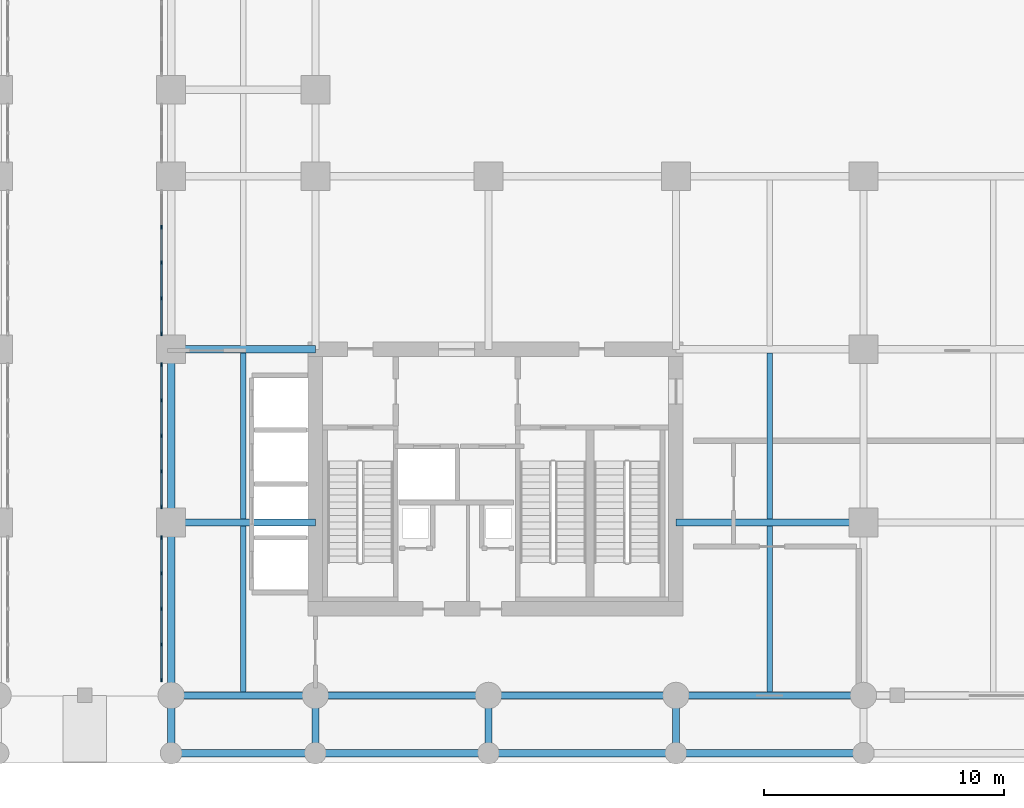
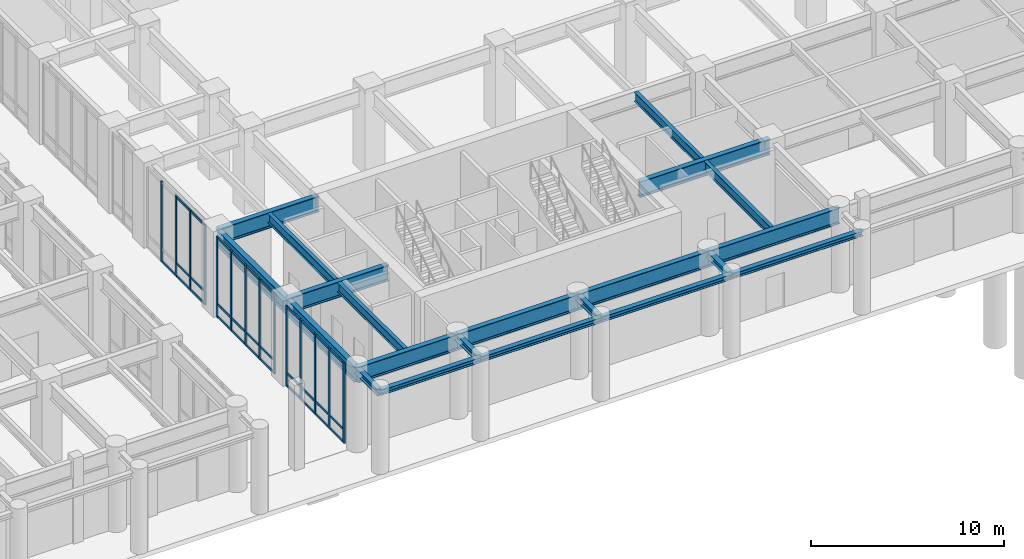
# One storey, part 4 of 23: 45 members, 21 beams, 3 elements without a shape of their own.
"""IFC4 building model written with IfcOpenShell, lengths in metres."""

from ifc_helpers import new_model, si_unit, derived_unit, direction, frame, origin, origin_2d, place, context, subcontext, project, spatial, rectangle, i_section, extrude, source, transform, mapped, material, layer, layer_set, material_profile, profile_set, type_object, type_shapes, element, aggregate, save


model = new_model("IFC4")

# Units and contexts
model_context = context("Model", 3, precision=1e-05, world=origin(), true_north=direction((0.0, 1.0)))
body_context = subcontext(model_context, "Body", "Model", "MODEL_VIEW")
ifc_project = project(units=[si_unit("LENGTHUNIT", "METRE"), si_unit("AREAUNIT", "SQUARE_METRE"), si_unit("VOLUMEUNIT", "CUBIC_METRE"), si_unit("PLANEANGLEUNIT", "RADIAN"), si_unit("MASSUNIT", "GRAM", prefix="KILO"), si_unit("THERMODYNAMICTEMPERATUREUNIT", "KELVIN"), si_unit("POWERUNIT", "WATT"), derived_unit("THERMALTRANSMITTANCEUNIT", [(si_unit("POWERUNIT", "WATT"), 1), (si_unit("AREAUNIT", "SQUARE_METRE"), -1), (si_unit("THERMODYNAMICTEMPERATUREUNIT", "KELVIN"), -1)])], contexts=[model_context])

# Site, building, storey
site_placement = place(None, origin())
site = spatial("IfcSite", under=ifc_project, at=site_placement, CompositionType="ELEMENT")
building_placement = place(site_placement, origin())
building = spatial("IfcBuilding", under=site, at=building_placement, Name="Zahravan Archway Hotel and Residences", CompositionType="ELEMENT")
storey_placement = place(building_placement, origin())
storey = spatial("IfcBuildingStorey", under=building, at=storey_placement, Name="L00", CompositionType="ELEMENT", Elevation=0.0)

# Beams
ifc_material_1 = material(Name="Structural Steel S355J2", Category="steel")
ifc_material_profile_1 = material_profile(ifc_material_1, i_section(OverallWidth=0.300048828125, OverallDepth=1.0, WebThickness=0.01904296875, FlangeThickness=0.035888671875, FilletRadius=0.030029296875, at=origin_2d()), Name="HEB 1000", Category="steel")
ifc_profile_set_1 = profile_set([ifc_material_profile_1], Name="Structural Steel S355J2")
beam_type_1 = type_object("IfcBeamType", Name="BM-PRI-HEB1000", PredefinedType="BEAM", material=ifc_profile_set_1)
shared_shape_1 = source(origin(), body_context, "Body", "SweptSolid", [
    extrude(i_section(OverallWidth=0.300048828125, OverallDepth=1.0, WebThickness=0.01904296875, FlangeThickness=0.035888671875, FilletRadius=0.030029296875, at=origin_2d()), origin(), (0.0, 0.0, 1.0), 7.199951171875),
])
for number, where, z_axis, x_axis, name in (
    (1, (34.800048828125, 0.0, 4.60009765625), (1.0, 0.0, 0.0), (0.0, 1.0, 0.0), "L00 Primary Girder EW-06"),
    (2, (28.800048828125, 0.0, 4.60009765625), (0.0, 1.0, 0.0), (-1.0, 0.0, 0.0), "L00 Primary Girder NS-95"),
    (3, (28.800048828125, 7.199951171875, 4.60009765625), (0.0, 1.0, 0.0), (-1.0, 0.0, 0.0), "L00 Primary Girder NS-96"),
):
    element("IfcBeam", number, at=place(storey_placement, frame(where, z_axis=z_axis, x_axis=x_axis)), inside=storey, type_object=beam_type_1, Name=name, PredefinedType="BEAM", context=body_context, shape_type="MappedRepresentation", body=[
        mapped(shared_shape_1, transform((0.0, 0.0, 0.0), scale=1.0)),
    ])
shared_shape_2 = source(origin(), body_context, "Body", "SweptSolid", [
    extrude(i_section(OverallWidth=0.300048828125, OverallDepth=1.0, WebThickness=0.01904296875, FlangeThickness=0.035888671875, FilletRadius=0.030029296875, at=origin_2d()), origin(), (0.0, 0.0, 1.0), 6.0),
])
for number, where, z_axis, x_axis, name in (
    (4, (28.800048828125, 0.0, 4.60009765625), (1.0, 0.0, 0.0), (0.0, 1.0, 0.0), "L00 Primary Girder EW-05"),
    (5, (28.800048828125, 7.199951171875, 4.60009765625), (1.0, 0.0, 0.0), (0.0, 1.0, 0.0), "L00 Primary Girder EW-15"),
    (6, (28.800048828125, 14.39990234375, 4.60009765625), (1.0, 0.0, 0.0), (0.0, 1.0, 0.0), "L00 Primary Girder EW-23"),
):
    element("IfcBeam", number, at=place(storey_placement, frame(where, z_axis=z_axis, x_axis=x_axis)), inside=storey, type_object=beam_type_1, Name=name, PredefinedType="BEAM", context=body_context, shape_type="MappedRepresentation", body=[
        mapped(shared_shape_2, transform((0.0, 0.0, 0.0), scale=1.0)),
    ])
shared_shape_3 = source(origin(), body_context, "Body", "SweptSolid", [
    extrude(i_section(OverallWidth=0.300048828125, OverallDepth=1.0, WebThickness=0.01904296875, FlangeThickness=0.035888671875, FilletRadius=0.030029296875, at=origin_2d()), origin(), (0.0, 0.0, 1.0), 7.800048828125),
])
for number, where, z_axis, x_axis, name in (
    (7, (42.0, 0.0, 4.60009765625), (1.0, 0.0, 0.0), (0.0, 1.0, 0.0), "L00 Primary Girder EW-07"),
    (8, (49.800048828125, 0.0, 4.60009765625), (1.0, 0.0, 0.0), (0.0, 1.0, 0.0), "L00 Primary Girder EW-08"),
    (9, (49.800048828125, 7.199951171875, 4.60009765625), (1.0, 0.0, 0.0), (0.0, 1.0, 0.0), "L00 Primary Girder EW-16"),
):
    element("IfcBeam", number, at=place(storey_placement, frame(where, z_axis=z_axis, x_axis=x_axis)), inside=storey, type_object=beam_type_1, Name=name, PredefinedType="BEAM", context=body_context, shape_type="MappedRepresentation", body=[
        mapped(shared_shape_3, transform((0.0, 0.0, 0.0), scale=1.0)),
    ])
ifc_material_2 = material(Name="Structural Steel S355JR", Category="steel")
ifc_material_profile_2 = material_profile(ifc_material_2, i_section(OverallWidth=0.219970703125, OverallDepth=0.60009765625, WebThickness=0.011962890625, FlangeThickness=0.01904296875, FilletRadius=0.02392578125, at=origin_2d()), Name="IPE 600", Category="steel")
ifc_profile_set_2 = profile_set([ifc_material_profile_2], Name="Structural Steel S355JR")
beam_type_2 = type_object("IfcBeamType", Name="BM-JST-IPE600", PredefinedType="JOIST", material=ifc_profile_set_2)
shared_shape_4 = source(origin(), body_context, "Body", "SweptSolid", [
    extrude(i_section(OverallWidth=0.219970703125, OverallDepth=0.60009765625, WebThickness=0.011962890625, FlangeThickness=0.01904296875, FilletRadius=0.02392578125, at=origin_2d()), origin(), (0.0, 0.0, 1.0), 6.904052734375),
])
type_shapes(beam_type_2, [shared_shape_4])
for number, where, z_axis, x_axis, name in (
    (10, (31.800048828125, 0.14794921875, 4.800048828125), (0.0, 1.0, 0.0), (-1.0, 0.0, 0.0), "L00 Composite Floor Joist 05"),
    (11, (53.699951171875, 0.14794921875, 4.800048828125), (0.0, 1.0, 0.0), (-1.0, 0.0, 0.0), "L00 Composite Floor Joist 06"),
    (12, (31.800048828125, 7.347900390625, 4.800048828125), (0.0, 1.0, 0.0), (-1.0, 0.0, 0.0), "L00 Composite Floor Joist 13"),
    (13, (53.699951171875, 7.347900390625, 4.800048828125), (0.0, 1.0, 0.0), (-1.0, 0.0, 0.0), "L00 Composite Floor Joist 14"),
):
    element("IfcBeam", number, at=place(storey_placement, frame(where, z_axis=z_axis, x_axis=x_axis)), inside=storey, type_object=beam_type_2, Name=name, PredefinedType="JOIST", context=body_context, shape_type="MappedRepresentation", body=[
        mapped(shared_shape_4, transform((0.0, 0.0, 0.0), scale=1.0)),
    ])
ifc_material_profile_3 = material_profile(ifc_material_2, i_section(OverallWidth=0.300048828125, OverallDepth=0.39990234375, WebThickness=0.013427734375, FlangeThickness=0.02392578125, FilletRadius=0.027099609375, at=origin_2d()), Name="HEB 400", Category="steel")
ifc_profile_set_3 = profile_set([ifc_material_profile_3], Name="Structural Steel S355JR")
beam_type_3 = type_object("IfcBeamType", Name="BM-PRI-HEB400", PredefinedType="BEAM", material=ifc_profile_set_3)
shared_shape_5 = source(origin(), body_context, "Body", "SweptSolid", [
    extrude(i_section(OverallWidth=0.300048828125, OverallDepth=0.39990234375, WebThickness=0.013427734375, FlangeThickness=0.02392578125, FilletRadius=0.027099609375, at=origin_2d()), origin(), (0.0, 0.0, 1.0), 2.39990234375),
])
for number, where, z_axis, x_axis, name in (
    (14, (28.800048828125, -2.39990234375, 4.89990234375), (0.0, 1.0, 0.0), (-1.0, 0.0, 0.0), "L00 South Colonnade Tie Girder 5"),
    (15, (34.800048828125, -2.39990234375, 4.89990234375), (0.0, 1.0, 0.0), (-1.0, 0.0, 0.0), "L00 South Colonnade Tie Girder 6"),
    (16, (42.0, -2.39990234375, 4.89990234375), (0.0, 1.0, 0.0), (-1.0, 0.0, 0.0), "L00 South Colonnade Tie Girder 7"),
    (17, (49.800048828125, -2.39990234375, 4.89990234375), (0.0, 1.0, 0.0), (-1.0, 0.0, 0.0), "L00 South Colonnade Tie Girder 8"),
):
    element("IfcBeam", number, at=place(storey_placement, frame(where, z_axis=z_axis, x_axis=x_axis)), inside=storey, type_object=beam_type_3, Name=name, PredefinedType="BEAM", context=body_context, shape_type="MappedRepresentation", body=[
        mapped(shared_shape_5, transform((0.0, 0.0, 0.0), scale=1.0)),
    ])
ifc_material_profile_4 = material_profile(ifc_material_2, i_section(OverallWidth=0.300048828125, OverallDepth=0.320068359375, WebThickness=0.011474609375, FlangeThickness=0.0205078125, FilletRadius=0.027099609375, at=origin_2d()), Name="HEB 320", Category="steel")
ifc_profile_set_4 = profile_set([ifc_material_profile_4], Name="Structural Steel S355JR")
beam_type_4 = type_object("IfcBeamType", Name="BM-SPN-HEB320", PredefinedType="SPANDREL", material=ifc_profile_set_4)
shared_shape_6 = source(origin(), body_context, "Body", "SweptSolid", [
    extrude(i_section(OverallWidth=0.300048828125, OverallDepth=0.320068359375, WebThickness=0.011474609375, FlangeThickness=0.0205078125, FilletRadius=0.027099609375, at=origin_2d()), origin(), (0.0, 0.0, 1.0), 7.199951171875),
])
type_shapes(beam_type_4, [shared_shape_6])
beam_1_placement = place(storey_placement, frame((34.800048828125, -2.39990234375, 4.93994140625), z_axis=(1.0, 0.0, 0.0), x_axis=(0.0, 1.0, 0.0)))
element("IfcBeam", 18, at=beam_1_placement, inside=storey, type_object=beam_type_4, Name="L00 South Colonnade Spandrel 6", PredefinedType="SPANDREL", context=body_context, shape_type="MappedRepresentation", body=[
    mapped(shared_shape_6, transform((0.0, 0.0, 0.0), scale=1.0)),
])
shared_shape_7 = source(origin(), body_context, "Body", "SweptSolid", [
    extrude(i_section(OverallWidth=0.300048828125, OverallDepth=0.320068359375, WebThickness=0.011474609375, FlangeThickness=0.0205078125, FilletRadius=0.027099609375, at=origin_2d()), origin(), (0.0, 0.0, 1.0), 6.0),
])
beam_2_placement = place(storey_placement, frame((28.800048828125, -2.39990234375, 4.93994140625), z_axis=(1.0, 0.0, 0.0), x_axis=(0.0, 1.0, 0.0)))
element("IfcBeam", 19, at=beam_2_placement, inside=storey, type_object=beam_type_4, Name="L00 South Colonnade Spandrel 5", PredefinedType="SPANDREL", context=body_context, shape_type="MappedRepresentation", body=[
    mapped(shared_shape_7, transform((0.0, 0.0, 0.0), scale=1.0)),
])
shared_shape_8 = source(origin(), body_context, "Body", "SweptSolid", [
    extrude(i_section(OverallWidth=0.300048828125, OverallDepth=0.320068359375, WebThickness=0.011474609375, FlangeThickness=0.0205078125, FilletRadius=0.027099609375, at=origin_2d()), origin(), (0.0, 0.0, 1.0), 7.800048828125),
])
for number, where, z_axis, x_axis, name in (
    (20, (42.0, -2.39990234375, 4.93994140625), (1.0, 0.0, 0.0), (0.0, 1.0, 0.0), "L00 South Colonnade Spandrel 7"),
    (21, (49.800048828125, -2.39990234375, 4.93994140625), (1.0, 0.0, 0.0), (0.0, 1.0, 0.0), "L00 South Colonnade Spandrel 8"),
):
    element("IfcBeam", number, at=place(storey_placement, frame(where, z_axis=z_axis, x_axis=x_axis)), inside=storey, type_object=beam_type_4, Name=name, PredefinedType="SPANDREL", context=body_context, shape_type="MappedRepresentation", body=[
        mapped(shared_shape_8, transform((0.0, 0.0, 0.0), scale=1.0)),
    ])

# Curtain wall, members
ifc_material_3 = material(Name="Bronze-Anodized Unitised Aluminium & Low-E Glass", Category="aluminium")
ifc_layer = layer(ifc_material_3, 0.179931640625, Name="Bronze-Anodized Unitised Aluminium & Low-E Glass", Category="aluminium")
ifc_layer_set = layer_set([ifc_layer], Name="Bronze-Anodized Unitised Aluminium & Low-E Glass")
curtain_wall_type = type_object("IfcCurtainWallType", Name="CW-POD-ARCH", PredefinedType="NOTDEFINED", material=ifc_layer_set)
curtain_wall_1_placement = place(storey_placement, origin())
curtain_wall_1 = element("IfcCurtainWall", 22, at=curtain_wall_1_placement, inside=storey, type_object=curtain_wall_type, Name="L00 Curtain Wall CW-PORTE-L00-1", PredefinedType="NOTDEFINED")
ifc_material_4 = material(Name="Bronze-Anodized Extruded Aluminium", Category="aluminium")
ifc_material_profile_5 = material_profile(ifc_material_4, rectangle(XDim=0.080078125, YDim=0.159912109375, at=origin_2d()), Name="MUL 80x160", Category="aluminium")
ifc_profile_set_5 = profile_set([ifc_material_profile_5], Name="Bronze-Anodized Extruded Aluminium")
member_type_1 = type_object("IfcMemberType", Name="CWM-MUL-160", PredefinedType="MULLION", material=ifc_profile_set_5)
shared_shape_9 = source(origin(), body_context, "Body", "SweptSolid", [
    extrude(rectangle(XDim=0.080078125, YDim=0.159912109375, at=origin_2d()), origin(), (0.0, 0.0, 1.0), 5.10009765625),
])
member_1_placement = place(storey_placement, frame((28.39990234375, 0.645263671875, 0.0), z_axis=(0.0, 0.0, 1.0), x_axis=(1.0, 0.0, 0.0)))
member_1 = element("IfcMember", 23, at=member_1_placement, type_object=member_type_1, Name="CW-PORTE-L00-1 Mullion 0", PredefinedType="MULLION", context=body_context, shape_type="MappedRepresentation", body=[
    mapped(shared_shape_9, transform((0.0, 0.0, 0.0), scale=1.0)),
])
member_2_placement = place(storey_placement, frame((28.39990234375, 2.12255859375, 0.0), z_axis=(0.0, 0.0, 1.0), x_axis=(1.0, 0.0, 0.0)))
member_2 = element("IfcMember", 24, at=member_2_placement, type_object=member_type_1, Name="CW-PORTE-L00-1 Mullion 1", PredefinedType="MULLION", context=body_context, shape_type="MappedRepresentation", body=[
    mapped(shared_shape_9, transform((0.0, 0.0, 0.0), scale=1.0)),
])
member_3_placement = place(storey_placement, frame((28.39990234375, 3.60009765625, 0.0), z_axis=(0.0, 0.0, 1.0), x_axis=(1.0, 0.0, 0.0)))
member_3 = element("IfcMember", 25, at=member_3_placement, type_object=member_type_1, Name="CW-PORTE-L00-1 Mullion 2", PredefinedType="MULLION", context=body_context, shape_type="MappedRepresentation", body=[
    mapped(shared_shape_9, transform((0.0, 0.0, 0.0), scale=1.0)),
])
member_4_placement = place(storey_placement, frame((28.39990234375, 5.077392578125, 0.0), z_axis=(0.0, 0.0, 1.0), x_axis=(1.0, 0.0, 0.0)))
member_4 = element("IfcMember", 26, at=member_4_placement, type_object=member_type_1, Name="CW-PORTE-L00-1 Mullion 3", PredefinedType="MULLION", context=body_context, shape_type="MappedRepresentation", body=[
    mapped(shared_shape_9, transform((0.0, 0.0, 0.0), scale=1.0)),
])
member_5_placement = place(storey_placement, frame((28.39990234375, 6.5546875, 0.0), z_axis=(0.0, 0.0, 1.0), x_axis=(1.0, 0.0, 0.0)))
member_5 = element("IfcMember", 27, at=member_5_placement, type_object=member_type_1, Name="CW-PORTE-L00-1 Mullion 4", PredefinedType="MULLION", context=body_context, shape_type="MappedRepresentation", body=[
    mapped(shared_shape_9, transform((0.0, 0.0, 0.0), scale=1.0)),
])

curtain_wall_2_placement = place(storey_placement, origin())
curtain_wall_2 = element("IfcCurtainWall", 28, at=curtain_wall_2_placement, inside=storey, type_object=curtain_wall_type, Name="L00 Curtain Wall CW-PORTE-L00-2", PredefinedType="NOTDEFINED")
member_6_placement = place(storey_placement, frame((28.39990234375, 7.84521484375, 0.0), z_axis=(0.0, 0.0, 1.0), x_axis=(1.0, 0.0, 0.0)))
member_6 = element("IfcMember", 29, at=member_6_placement, type_object=member_type_1, Name="CW-PORTE-L00-2 Mullion 0", PredefinedType="MULLION", context=body_context, shape_type="MappedRepresentation", body=[
    mapped(shared_shape_9, transform((0.0, 0.0, 0.0), scale=1.0)),
])
member_7_placement = place(storey_placement, frame((28.39990234375, 9.322509765625, 0.0), z_axis=(0.0, 0.0, 1.0), x_axis=(1.0, 0.0, 0.0)))
member_7 = element("IfcMember", 30, at=member_7_placement, type_object=member_type_1, Name="CW-PORTE-L00-2 Mullion 1", PredefinedType="MULLION", context=body_context, shape_type="MappedRepresentation", body=[
    mapped(shared_shape_9, transform((0.0, 0.0, 0.0), scale=1.0)),
])
member_8_placement = place(storey_placement, frame((28.39990234375, 10.800048828125, 0.0), z_axis=(0.0, 0.0, 1.0), x_axis=(1.0, 0.0, 0.0)))
member_8 = element("IfcMember", 31, at=member_8_placement, type_object=member_type_1, Name="CW-PORTE-L00-2 Mullion 2", PredefinedType="MULLION", context=body_context, shape_type="MappedRepresentation", body=[
    mapped(shared_shape_9, transform((0.0, 0.0, 0.0), scale=1.0)),
])
member_9_placement = place(storey_placement, frame((28.39990234375, 12.27734375, 0.0), z_axis=(0.0, 0.0, 1.0), x_axis=(1.0, 0.0, 0.0)))
member_9 = element("IfcMember", 32, at=member_9_placement, type_object=member_type_1, Name="CW-PORTE-L00-2 Mullion 3", PredefinedType="MULLION", context=body_context, shape_type="MappedRepresentation", body=[
    mapped(shared_shape_9, transform((0.0, 0.0, 0.0), scale=1.0)),
])
member_10_placement = place(storey_placement, frame((28.39990234375, 13.7548828125, 0.0), z_axis=(0.0, 0.0, 1.0), x_axis=(1.0, 0.0, 0.0)))
member_10 = element("IfcMember", 33, at=member_10_placement, type_object=member_type_1, Name="CW-PORTE-L00-2 Mullion 4", PredefinedType="MULLION", context=body_context, shape_type="MappedRepresentation", body=[
    mapped(shared_shape_9, transform((0.0, 0.0, 0.0), scale=1.0)),
])

curtain_wall_3_placement = place(storey_placement, origin())
curtain_wall_3 = element("IfcCurtainWall", 34, at=curtain_wall_3_placement, inside=storey, type_object=curtain_wall_type, Name="L00 Curtain Wall CW-PORTE-L00-3", PredefinedType="NOTDEFINED")
member_11_placement = place(storey_placement, frame((28.39990234375, 15.045166015625, 0.0), z_axis=(0.0, 0.0, 1.0), x_axis=(1.0, 0.0, 0.0)))
member_11 = element("IfcMember", 35, at=member_11_placement, type_object=member_type_1, Name="CW-PORTE-L00-3 Mullion 0", PredefinedType="MULLION", context=body_context, shape_type="MappedRepresentation", body=[
    mapped(shared_shape_9, transform((0.0, 0.0, 0.0), scale=1.0)),
])
member_12_placement = place(storey_placement, frame((28.39990234375, 16.522705078125, 0.0), z_axis=(0.0, 0.0, 1.0), x_axis=(1.0, 0.0, 0.0)))
member_12 = element("IfcMember", 36, at=member_12_placement, type_object=member_type_1, Name="CW-PORTE-L00-3 Mullion 1", PredefinedType="MULLION", context=body_context, shape_type="MappedRepresentation", body=[
    mapped(shared_shape_9, transform((0.0, 0.0, 0.0), scale=1.0)),
])
member_13_placement = place(storey_placement, frame((28.39990234375, 18.0, 0.0), z_axis=(0.0, 0.0, 1.0), x_axis=(1.0, 0.0, 0.0)))
member_13 = element("IfcMember", 37, at=member_13_placement, type_object=member_type_1, Name="CW-PORTE-L00-3 Mullion 2", PredefinedType="MULLION", context=body_context, shape_type="MappedRepresentation", body=[
    mapped(shared_shape_9, transform((0.0, 0.0, 0.0), scale=1.0)),
])
member_14_placement = place(storey_placement, frame((28.39990234375, 19.477294921875, 0.0), z_axis=(0.0, 0.0, 1.0), x_axis=(1.0, 0.0, 0.0)))
member_14 = element("IfcMember", 38, at=member_14_placement, type_object=member_type_1, Name="CW-PORTE-L00-3 Mullion 3", PredefinedType="MULLION", context=body_context, shape_type="MappedRepresentation", body=[
    mapped(shared_shape_9, transform((0.0, 0.0, 0.0), scale=1.0)),
])

# Member
ifc_material_profile_6 = material_profile(ifc_material_4, rectangle(XDim=0.080078125, YDim=0.139892578125, at=origin_2d()), Name="TRN 80x140", Category="aluminium")
ifc_profile_set_6 = profile_set([ifc_material_profile_6], Name="Bronze-Anodized Extruded Aluminium")
member_type_2 = type_object("IfcMemberType", Name="CWM-TRN-140", PredefinedType="USERDEFINED", material=ifc_profile_set_6)
shared_shape_10 = source(origin(), body_context, "Body", "SweptSolid", [
    extrude(rectangle(XDim=0.080078125, YDim=0.139892578125, at=origin_2d()), origin(), (0.0, 0.0, 1.0), 1.397216796875),
])
member_15_placement = place(storey_placement, frame((28.39990234375, 0.685302734375, 0.070068359375), z_axis=(0.0, 1.0, 0.0), x_axis=(-1.0, 0.0, 0.0)))
member_15 = element("IfcMember", 39, at=member_15_placement, type_object=member_type_2, Name="CW-PORTE-L00-1 Transom 0-1", ObjectType="TRANSOM", PredefinedType="USERDEFINED", context=body_context, shape_type="MappedRepresentation", body=[
    mapped(shared_shape_10, transform((0.0, 0.0, 0.0), scale=1.0)),
])

member_16_placement = place(storey_placement, frame((28.39990234375, 0.685302734375, 0.85009765625), z_axis=(0.0, 1.0, 0.0), x_axis=(-1.0, 0.0, 0.0)))
member_16 = element("IfcMember", 40, at=member_16_placement, type_object=member_type_2, Name="CW-PORTE-L00-1 Transom 0-2", ObjectType="TRANSOM", PredefinedType="USERDEFINED", context=body_context, shape_type="MappedRepresentation", body=[
    mapped(shared_shape_10, transform((0.0, 0.0, 0.0), scale=1.0)),
])

member_17_placement = place(storey_placement, frame((28.39990234375, 0.685302734375, 5.030029296875), z_axis=(0.0, 1.0, 0.0), x_axis=(-1.0, 0.0, 0.0)))
member_17 = element("IfcMember", 41, at=member_17_placement, type_object=member_type_2, Name="CW-PORTE-L00-1 Transom 0-3", ObjectType="TRANSOM", PredefinedType="USERDEFINED", context=body_context, shape_type="MappedRepresentation", body=[
    mapped(shared_shape_10, transform((0.0, 0.0, 0.0), scale=1.0)),
])

member_18_placement = place(storey_placement, frame((28.39990234375, 10.840087890625, 0.070068359375), z_axis=(0.0, 1.0, 0.0), x_axis=(-1.0, 0.0, 0.0)))
member_18 = element("IfcMember", 42, at=member_18_placement, type_object=member_type_2, Name="CW-PORTE-L00-2 Transom 2-1", ObjectType="TRANSOM", PredefinedType="USERDEFINED", context=body_context, shape_type="MappedRepresentation", body=[
    mapped(shared_shape_10, transform((0.0, 0.0, 0.0), scale=1.0)),
])

member_19_placement = place(storey_placement, frame((28.39990234375, 10.840087890625, 0.85009765625), z_axis=(0.0, 1.0, 0.0), x_axis=(-1.0, 0.0, 0.0)))
member_19 = element("IfcMember", 43, at=member_19_placement, type_object=member_type_2, Name="CW-PORTE-L00-2 Transom 2-2", ObjectType="TRANSOM", PredefinedType="USERDEFINED", context=body_context, shape_type="MappedRepresentation", body=[
    mapped(shared_shape_10, transform((0.0, 0.0, 0.0), scale=1.0)),
])

member_20_placement = place(storey_placement, frame((28.39990234375, 10.840087890625, 5.030029296875), z_axis=(0.0, 1.0, 0.0), x_axis=(-1.0, 0.0, 0.0)))
member_20 = element("IfcMember", 44, at=member_20_placement, type_object=member_type_2, Name="CW-PORTE-L00-2 Transom 2-3", ObjectType="TRANSOM", PredefinedType="USERDEFINED", context=body_context, shape_type="MappedRepresentation", body=[
    mapped(shared_shape_10, transform((0.0, 0.0, 0.0), scale=1.0)),
])

shared_shape_11 = source(origin(), body_context, "Body", "SweptSolid", [
    extrude(rectangle(XDim=0.080078125, YDim=0.139892578125, at=origin_2d()), origin(), (0.0, 0.0, 1.0), 1.3974609375),
])
member_21_placement = place(storey_placement, frame((28.39990234375, 2.16259765625, 0.070068359375), z_axis=(0.0, 1.0, 0.0), x_axis=(-1.0, 0.0, 0.0)))
member_21 = element("IfcMember", 45, at=member_21_placement, type_object=member_type_2, Name="CW-PORTE-L00-1 Transom 1-1", ObjectType="TRANSOM", PredefinedType="USERDEFINED", context=body_context, shape_type="MappedRepresentation", body=[
    mapped(shared_shape_11, transform((0.0, 0.0, 0.0), scale=1.0)),
])

member_22_placement = place(storey_placement, frame((28.39990234375, 2.16259765625, 0.85009765625), z_axis=(0.0, 1.0, 0.0), x_axis=(-1.0, 0.0, 0.0)))
member_22 = element("IfcMember", 46, at=member_22_placement, type_object=member_type_2, Name="CW-PORTE-L00-1 Transom 1-2", ObjectType="TRANSOM", PredefinedType="USERDEFINED", context=body_context, shape_type="MappedRepresentation", body=[
    mapped(shared_shape_11, transform((0.0, 0.0, 0.0), scale=1.0)),
])

member_23_placement = place(storey_placement, frame((28.39990234375, 2.16259765625, 5.030029296875), z_axis=(0.0, 1.0, 0.0), x_axis=(-1.0, 0.0, 0.0)))
member_23 = element("IfcMember", 47, at=member_23_placement, type_object=member_type_2, Name="CW-PORTE-L00-1 Transom 1-3", ObjectType="TRANSOM", PredefinedType="USERDEFINED", context=body_context, shape_type="MappedRepresentation", body=[
    mapped(shared_shape_11, transform((0.0, 0.0, 0.0), scale=1.0)),
])

member_24_placement = place(storey_placement, frame((28.39990234375, 3.639892578125, 0.070068359375), z_axis=(0.0, 1.0, 0.0), x_axis=(-1.0, 0.0, 0.0)))
member_24 = element("IfcMember", 48, at=member_24_placement, type_object=member_type_2, Name="CW-PORTE-L00-1 Transom 2-1", ObjectType="TRANSOM", PredefinedType="USERDEFINED", context=body_context, shape_type="MappedRepresentation", body=[
    mapped(shared_shape_11, transform((0.0, 0.0, 0.0), scale=1.0)),
])

member_25_placement = place(storey_placement, frame((28.39990234375, 3.639892578125, 0.85009765625), z_axis=(0.0, 1.0, 0.0), x_axis=(-1.0, 0.0, 0.0)))
member_25 = element("IfcMember", 49, at=member_25_placement, type_object=member_type_2, Name="CW-PORTE-L00-1 Transom 2-2", ObjectType="TRANSOM", PredefinedType="USERDEFINED", context=body_context, shape_type="MappedRepresentation", body=[
    mapped(shared_shape_11, transform((0.0, 0.0, 0.0), scale=1.0)),
])

member_26_placement = place(storey_placement, frame((28.39990234375, 3.639892578125, 5.030029296875), z_axis=(0.0, 1.0, 0.0), x_axis=(-1.0, 0.0, 0.0)))
member_26 = element("IfcMember", 50, at=member_26_placement, type_object=member_type_2, Name="CW-PORTE-L00-1 Transom 2-3", ObjectType="TRANSOM", PredefinedType="USERDEFINED", context=body_context, shape_type="MappedRepresentation", body=[
    mapped(shared_shape_11, transform((0.0, 0.0, 0.0), scale=1.0)),
])

member_27_placement = place(storey_placement, frame((28.39990234375, 5.117431640625, 0.070068359375), z_axis=(0.0, 1.0, 0.0), x_axis=(-1.0, 0.0, 0.0)))
member_27 = element("IfcMember", 51, at=member_27_placement, type_object=member_type_2, Name="CW-PORTE-L00-1 Transom 3-1", ObjectType="TRANSOM", PredefinedType="USERDEFINED", context=body_context, shape_type="MappedRepresentation", body=[
    mapped(shared_shape_11, transform((0.0, 0.0, 0.0), scale=1.0)),
])

member_28_placement = place(storey_placement, frame((28.39990234375, 5.117431640625, 0.85009765625), z_axis=(0.0, 1.0, 0.0), x_axis=(-1.0, 0.0, 0.0)))
member_28 = element("IfcMember", 52, at=member_28_placement, type_object=member_type_2, Name="CW-PORTE-L00-1 Transom 3-2", ObjectType="TRANSOM", PredefinedType="USERDEFINED", context=body_context, shape_type="MappedRepresentation", body=[
    mapped(shared_shape_11, transform((0.0, 0.0, 0.0), scale=1.0)),
])

member_29_placement = place(storey_placement, frame((28.39990234375, 5.117431640625, 5.030029296875), z_axis=(0.0, 1.0, 0.0), x_axis=(-1.0, 0.0, 0.0)))
member_29 = element("IfcMember", 53, at=member_29_placement, type_object=member_type_2, Name="CW-PORTE-L00-1 Transom 3-3", ObjectType="TRANSOM", PredefinedType="USERDEFINED", context=body_context, shape_type="MappedRepresentation", body=[
    mapped(shared_shape_11, transform((0.0, 0.0, 0.0), scale=1.0)),
])

aggregate(curtain_wall_1, [member_1, member_2, member_3, member_4, member_5, member_15, member_16, member_17, member_21, member_22, member_23, member_24, member_25, member_26, member_27, member_28, member_29])

member_30_placement = place(storey_placement, frame((28.39990234375, 7.88525390625, 0.070068359375), z_axis=(0.0, 1.0, 0.0), x_axis=(-1.0, 0.0, 0.0)))
member_30 = element("IfcMember", 54, at=member_30_placement, type_object=member_type_2, Name="CW-PORTE-L00-2 Transom 0-1", ObjectType="TRANSOM", PredefinedType="USERDEFINED", context=body_context, shape_type="MappedRepresentation", body=[
    mapped(shared_shape_11, transform((0.0, 0.0, 0.0), scale=1.0)),
])

member_31_placement = place(storey_placement, frame((28.39990234375, 7.88525390625, 0.85009765625), z_axis=(0.0, 1.0, 0.0), x_axis=(-1.0, 0.0, 0.0)))
member_31 = element("IfcMember", 55, at=member_31_placement, type_object=member_type_2, Name="CW-PORTE-L00-2 Transom 0-2", ObjectType="TRANSOM", PredefinedType="USERDEFINED", context=body_context, shape_type="MappedRepresentation", body=[
    mapped(shared_shape_11, transform((0.0, 0.0, 0.0), scale=1.0)),
])

member_32_placement = place(storey_placement, frame((28.39990234375, 7.88525390625, 5.030029296875), z_axis=(0.0, 1.0, 0.0), x_axis=(-1.0, 0.0, 0.0)))
member_32 = element("IfcMember", 56, at=member_32_placement, type_object=member_type_2, Name="CW-PORTE-L00-2 Transom 0-3", ObjectType="TRANSOM", PredefinedType="USERDEFINED", context=body_context, shape_type="MappedRepresentation", body=[
    mapped(shared_shape_11, transform((0.0, 0.0, 0.0), scale=1.0)),
])

member_33_placement = place(storey_placement, frame((28.39990234375, 9.362548828125, 0.070068359375), z_axis=(0.0, 1.0, 0.0), x_axis=(-1.0, 0.0, 0.0)))
member_33 = element("IfcMember", 57, at=member_33_placement, type_object=member_type_2, Name="CW-PORTE-L00-2 Transom 1-1", ObjectType="TRANSOM", PredefinedType="USERDEFINED", context=body_context, shape_type="MappedRepresentation", body=[
    mapped(shared_shape_11, transform((0.0, 0.0, 0.0), scale=1.0)),
])

member_34_placement = place(storey_placement, frame((28.39990234375, 9.362548828125, 0.85009765625), z_axis=(0.0, 1.0, 0.0), x_axis=(-1.0, 0.0, 0.0)))
member_34 = element("IfcMember", 58, at=member_34_placement, type_object=member_type_2, Name="CW-PORTE-L00-2 Transom 1-2", ObjectType="TRANSOM", PredefinedType="USERDEFINED", context=body_context, shape_type="MappedRepresentation", body=[
    mapped(shared_shape_11, transform((0.0, 0.0, 0.0), scale=1.0)),
])

member_35_placement = place(storey_placement, frame((28.39990234375, 9.362548828125, 5.030029296875), z_axis=(0.0, 1.0, 0.0), x_axis=(-1.0, 0.0, 0.0)))
member_35 = element("IfcMember", 59, at=member_35_placement, type_object=member_type_2, Name="CW-PORTE-L00-2 Transom 1-3", ObjectType="TRANSOM", PredefinedType="USERDEFINED", context=body_context, shape_type="MappedRepresentation", body=[
    mapped(shared_shape_11, transform((0.0, 0.0, 0.0), scale=1.0)),
])

member_36_placement = place(storey_placement, frame((28.39990234375, 12.3173828125, 0.070068359375), z_axis=(0.0, 1.0, 0.0), x_axis=(-1.0, 0.0, 0.0)))
member_36 = element("IfcMember", 60, at=member_36_placement, type_object=member_type_2, Name="CW-PORTE-L00-2 Transom 3-1", ObjectType="TRANSOM", PredefinedType="USERDEFINED", context=body_context, shape_type="MappedRepresentation", body=[
    mapped(shared_shape_11, transform((0.0, 0.0, 0.0), scale=1.0)),
])

member_37_placement = place(storey_placement, frame((28.39990234375, 12.3173828125, 0.85009765625), z_axis=(0.0, 1.0, 0.0), x_axis=(-1.0, 0.0, 0.0)))
member_37 = element("IfcMember", 61, at=member_37_placement, type_object=member_type_2, Name="CW-PORTE-L00-2 Transom 3-2", ObjectType="TRANSOM", PredefinedType="USERDEFINED", context=body_context, shape_type="MappedRepresentation", body=[
    mapped(shared_shape_11, transform((0.0, 0.0, 0.0), scale=1.0)),
])

member_38_placement = place(storey_placement, frame((28.39990234375, 12.3173828125, 5.030029296875), z_axis=(0.0, 1.0, 0.0), x_axis=(-1.0, 0.0, 0.0)))
member_38 = element("IfcMember", 62, at=member_38_placement, type_object=member_type_2, Name="CW-PORTE-L00-2 Transom 3-3", ObjectType="TRANSOM", PredefinedType="USERDEFINED", context=body_context, shape_type="MappedRepresentation", body=[
    mapped(shared_shape_11, transform((0.0, 0.0, 0.0), scale=1.0)),
])

aggregate(curtain_wall_2, [member_6, member_7, member_8, member_9, member_10, member_30, member_31, member_32, member_33, member_34, member_35, member_18, member_19, member_20, member_36, member_37, member_38])

member_39_placement = place(storey_placement, frame((28.39990234375, 15.085205078125, 0.070068359375), z_axis=(0.0, 1.0, 0.0), x_axis=(-1.0, 0.0, 0.0)))
member_39 = element("IfcMember", 63, at=member_39_placement, type_object=member_type_2, Name="CW-PORTE-L00-3 Transom 0-1", ObjectType="TRANSOM", PredefinedType="USERDEFINED", context=body_context, shape_type="MappedRepresentation", body=[
    mapped(shared_shape_11, transform((0.0, 0.0, 0.0), scale=1.0)),
])

member_40_placement = place(storey_placement, frame((28.39990234375, 15.085205078125, 0.85009765625), z_axis=(0.0, 1.0, 0.0), x_axis=(-1.0, 0.0, 0.0)))
member_40 = element("IfcMember", 64, at=member_40_placement, type_object=member_type_2, Name="CW-PORTE-L00-3 Transom 0-2", ObjectType="TRANSOM", PredefinedType="USERDEFINED", context=body_context, shape_type="MappedRepresentation", body=[
    mapped(shared_shape_11, transform((0.0, 0.0, 0.0), scale=1.0)),
])

member_41_placement = place(storey_placement, frame((28.39990234375, 15.085205078125, 5.030029296875), z_axis=(0.0, 1.0, 0.0), x_axis=(-1.0, 0.0, 0.0)))
member_41 = element("IfcMember", 65, at=member_41_placement, type_object=member_type_2, Name="CW-PORTE-L00-3 Transom 0-3", ObjectType="TRANSOM", PredefinedType="USERDEFINED", context=body_context, shape_type="MappedRepresentation", body=[
    mapped(shared_shape_11, transform((0.0, 0.0, 0.0), scale=1.0)),
])

member_42_placement = place(storey_placement, frame((28.39990234375, 16.5625, 0.070068359375), z_axis=(0.0, 1.0, 0.0), x_axis=(-1.0, 0.0, 0.0)))
member_42 = element("IfcMember", 66, at=member_42_placement, type_object=member_type_2, Name="CW-PORTE-L00-3 Transom 1-1", ObjectType="TRANSOM", PredefinedType="USERDEFINED", context=body_context, shape_type="MappedRepresentation", body=[
    mapped(shared_shape_11, transform((0.0, 0.0, 0.0), scale=1.0)),
])

member_43_placement = place(storey_placement, frame((28.39990234375, 16.5625, 0.85009765625), z_axis=(0.0, 1.0, 0.0), x_axis=(-1.0, 0.0, 0.0)))
member_43 = element("IfcMember", 67, at=member_43_placement, type_object=member_type_2, Name="CW-PORTE-L00-3 Transom 1-2", ObjectType="TRANSOM", PredefinedType="USERDEFINED", context=body_context, shape_type="MappedRepresentation", body=[
    mapped(shared_shape_11, transform((0.0, 0.0, 0.0), scale=1.0)),
])

member_44_placement = place(storey_placement, frame((28.39990234375, 16.5625, 5.030029296875), z_axis=(0.0, 1.0, 0.0), x_axis=(-1.0, 0.0, 0.0)))
member_44 = element("IfcMember", 68, at=member_44_placement, type_object=member_type_2, Name="CW-PORTE-L00-3 Transom 1-3", ObjectType="TRANSOM", PredefinedType="USERDEFINED", context=body_context, shape_type="MappedRepresentation", body=[
    mapped(shared_shape_11, transform((0.0, 0.0, 0.0), scale=1.0)),
])

member_45_placement = place(storey_placement, frame((28.39990234375, 18.0400390625, 0.070068359375), z_axis=(0.0, 1.0, 0.0), x_axis=(-1.0, 0.0, 0.0)))
member_45 = element("IfcMember", 69, at=member_45_placement, type_object=member_type_2, Name="CW-PORTE-L00-3 Transom 2-1", ObjectType="TRANSOM", PredefinedType="USERDEFINED", context=body_context, shape_type="MappedRepresentation", body=[
    mapped(shared_shape_11, transform((0.0, 0.0, 0.0), scale=1.0)),
])

aggregate(curtain_wall_3, [member_11, member_12, member_13, member_14, member_39, member_40, member_41, member_42, member_43, member_44, member_45])

save(model, "model.ifc")
